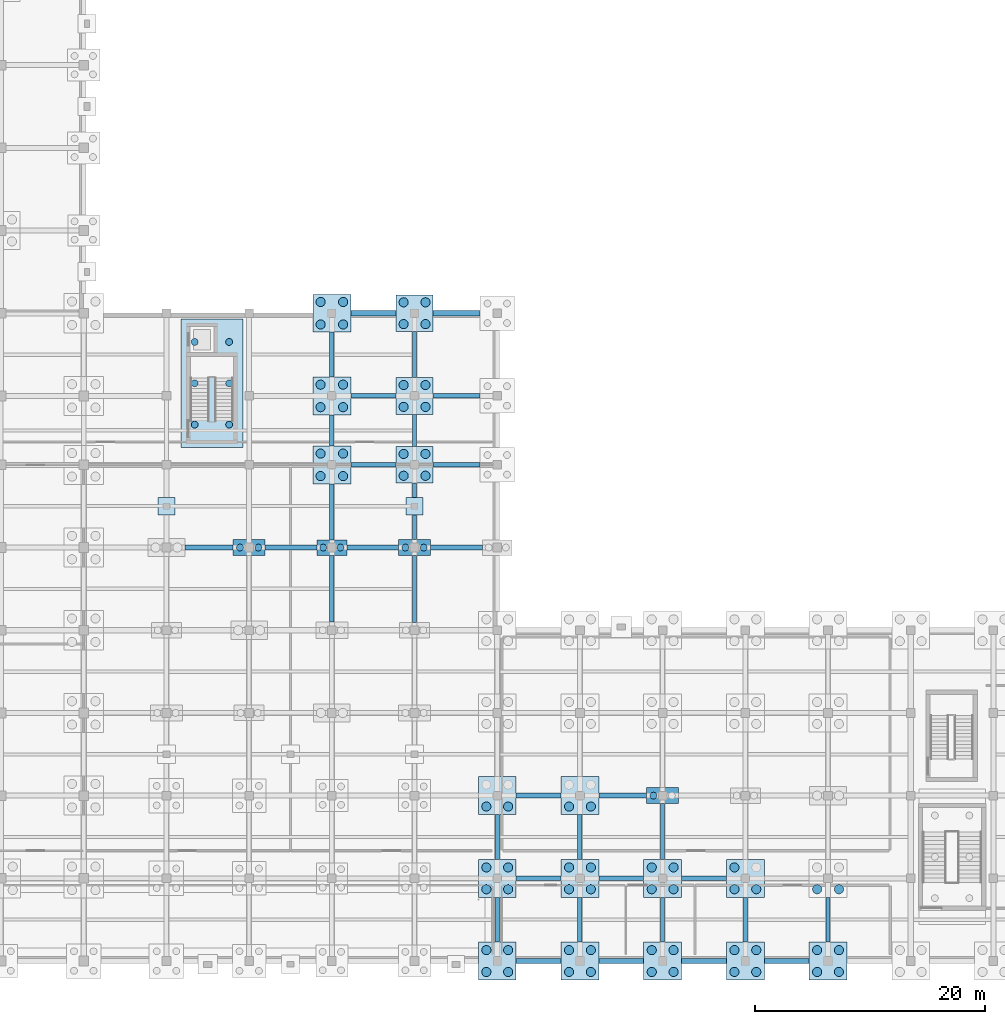
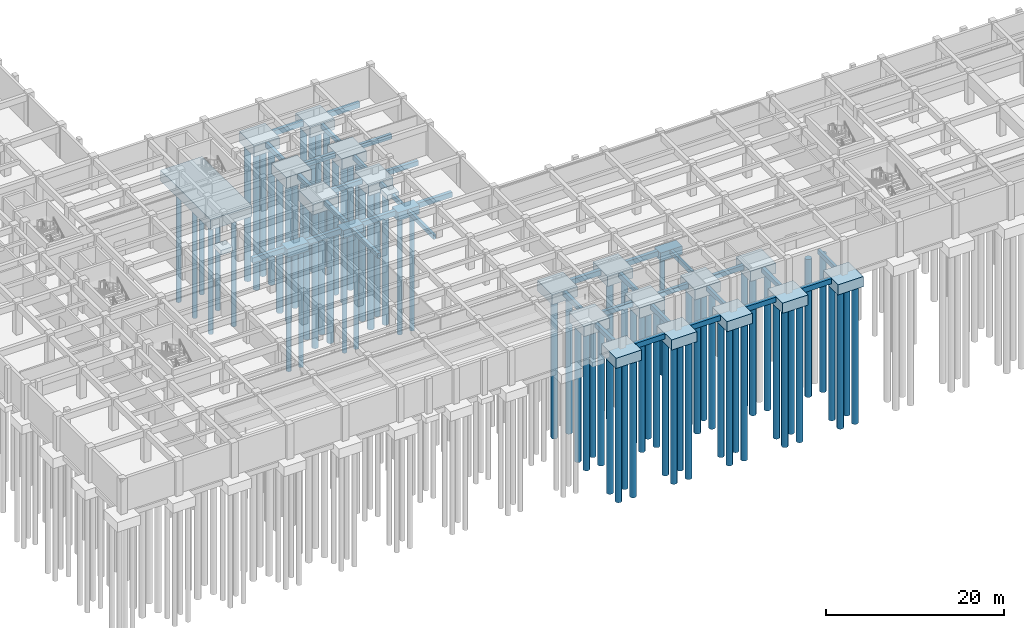
# One storey, part 4 of 28: 78 piles, 60 footings.
"""IFC4 building model written with IfcOpenShell, lengths in metres."""

import ifcopenshell
import ifcopenshell.guid

model = None  # the IFC model being written
_history = None  # IfcOwnerHistory: only IFC2X3 demands one
_inside = {}  # id of a spatial element -> (the spatial element, [elements in it])
_under = {}  # id of a project, library or spatial element -> (it, [spatial elements below it])
_declared = {}  # id of a project -> (the project, [libraries it declares])
_typed = {}  # id of a type object -> (the type object, [elements of that type])
_made_of = {}  # id of a material, layer set ... -> (it, [elements and type objects made of it])


def new_model(schema):
    """Start an empty IFC model of exactly this schema.

    Asked for "IFC4X3", IfcOpenShell would pick the latest addendum, in which some entities
    have other attributes; the version numbers below select the first issue.
    IFC2X3 requires an IfcOwnerHistory on every rooted entity: one is made here for all.
    """
    global model, _history
    if schema == "IFC4X3":
        model = ifcopenshell.file(schema_version=(4, 3, 0, 0))
    else:
        model = ifcopenshell.file(schema=schema)
    _inside.clear()
    _under.clear()
    _declared.clear()
    _typed.clear()
    _made_of.clear()
    _history = None
    if model.schema == "IFC2X3":
        org = make("IfcOrganization", Name="unknown")
        user = make(
            "IfcPersonAndOrganization",
            ThePerson=make("IfcPerson", FamilyName="unknown"),
            TheOrganization=org,
        )
        app = make(
            "IfcApplication",
            ApplicationDeveloper=org,
            Version="unknown",
            ApplicationFullName="unknown",
            ApplicationIdentifier="unknown",
        )
        _history = make(
            "IfcOwnerHistory",
            OwningUser=user,
            OwningApplication=app,
            ChangeAction="ADDED",
            CreationDate=0,
        )
    return model


def make(cls, **values):
    """One entity of the class cls with the attributes given. An attribute that is None is left unset."""
    return model.create_entity(
        cls, **{name: value for name, value in values.items() if value is not None}
    )


def rooted(cls, **values):
    """An entity with a GlobalId (a new one), such as an element, a storey or a relation."""
    return make(cls, GlobalId=ifcopenshell.guid.new(), OwnerHistory=_history, **values)


def si_unit(unit_type, name, prefix=None):
    """IfcSIUnit, for example si_unit("LENGTHUNIT", "METRE", prefix="MILLI")."""
    return make("IfcSIUnit", UnitType=unit_type, Prefix=prefix, Name=name)


def assignment(units):
    """IfcUnitAssignment: the units of a project."""
    return None if units is None else make("IfcUnitAssignment", Units=units)


def point(xyz):
    """IfcCartesianPoint."""
    return None if xyz is None else make("IfcCartesianPoint", Coordinates=xyz)


def direction(xyz):
    """IfcDirection."""
    return None if xyz is None else make("IfcDirection", DirectionRatios=xyz)


def frame(location, z_axis=None, x_axis=None):
    """IfcAxis2Placement3D, a coordinate frame: its origin and axes. An axis left out is left unset."""
    return make(
        "IfcAxis2Placement3D",
        Location=point(location),
        Axis=direction(z_axis),
        RefDirection=direction(x_axis),
    )


def frame_2d(location, x_axis=None):
    """IfcAxis2Placement2D, a coordinate frame in the plane: its origin and x axis."""
    return make(
        "IfcAxis2Placement2D", Location=point(location), RefDirection=direction(x_axis)
    )


def origin():
    """The frame at (0, 0, 0) with its axes left unset."""
    return frame((0.0, 0.0, 0.0))


def origin_2d():
    """The frame at (0, 0) in the plane with its x axis left unset."""
    return frame_2d((0.0, 0.0))


def place(relative_to, where):
    """IfcLocalPlacement: puts the frame where relative to a parent placement (None: the world)."""
    return make(
        "IfcLocalPlacement", PlacementRelTo=relative_to, RelativePlacement=where
    )


def context(
    kind, dimensions, precision=None, world=None, true_north=None, identifier=None
):
    """IfcGeometricRepresentationContext, for example the 3D "Model" context."""
    return make(
        "IfcGeometricRepresentationContext",
        ContextIdentifier=identifier,
        ContextType=kind,
        CoordinateSpaceDimension=dimensions,
        Precision=precision,
        WorldCoordinateSystem=world,
        TrueNorth=true_north,
    )


def subcontext(parent, identifier, kind, view, scale=None):
    """IfcGeometricRepresentationSubContext, for example "Body" below "Model"."""
    return make(
        "IfcGeometricRepresentationSubContext",
        ContextIdentifier=identifier,
        ContextType=kind,
        ParentContext=parent,
        TargetScale=scale,
        TargetView=view,
    )


def project(units=None, contexts=None):
    """IfcProject with its units and contexts."""
    return rooted(
        "IfcProject",
        Name="project",
        RepresentationContexts=contexts,
        UnitsInContext=assignment(units),
    )


def spatial(cls, under=None, at=None, **own):
    """A site, building, storey or space (cls), placed at a placement, below another one or the project."""
    s = rooted(cls, ObjectPlacement=at, **own)
    if under is not None:
        _under.setdefault(under.id(), (under, []))[1].append(s)
    return s


def profile(cls, at=None, kind="AREA", **sizes):
    """A parametric profile (cls). Its sizes go by their IFC names, for example OverallWidth=200.0."""
    return make(cls, ProfileType=kind, Position=at, **sizes)


def rectangle(**sizes):
    """IfcRectangleProfileDef."""
    return profile("IfcRectangleProfileDef", **sizes)


def circle(**sizes):
    """IfcCircleProfileDef."""
    return profile("IfcCircleProfileDef", **sizes)


def extrude(swept, where, along, depth):
    """IfcExtrudedAreaSolid: the profile swept, set in the frame where, extruded along a direction by depth."""
    return make(
        "IfcExtrudedAreaSolid",
        SweptArea=swept,
        Position=where,
        ExtrudedDirection=direction(along),
        Depth=depth,
    )


def shape(context_of_items, identifier, shape_type, items):
    """IfcShapeRepresentation: the items that make up one representation, for example the "Body"."""
    return make(
        "IfcShapeRepresentation",
        ContextOfItems=context_of_items,
        RepresentationIdentifier=identifier,
        RepresentationType=shape_type,
        Items=items,
    )


def material(Name=None, Category=None):
    """IfcMaterial."""
    return make("IfcMaterial", Name=Name, Category=Category)


def material_profile(
    of_material, cross_section, Name=None, Category=None, Priority=None
):
    """IfcMaterialProfile: a cross section and its material."""
    return make(
        "IfcMaterialProfile",
        Name=Name,
        Material=of_material,
        Profile=cross_section,
        Priority=Priority,
        Category=Category,
    )


def profile_set(profiles, Name=None, composite=None):
    """IfcMaterialProfileSet."""
    return make(
        "IfcMaterialProfileSet",
        Name=Name,
        MaterialProfiles=profiles,
        CompositeProfile=composite,
    )


def made_of(thing, what):
    """Note that an element or type object is made of a material, layer set ...; save() writes the relation."""
    if what is not None:
        _made_of.setdefault(what.id(), (what, []))[1].append(thing)
    return thing


def type_object(cls, material=None, **own):
    """A type object (cls), such as IfcWallType, which elements share."""
    return made_of(rooted(cls, **own), material)


def element(
    cls,
    number,
    at=None,
    inside=None,
    cuts=None,
    type_object=None,
    material=None,
    context=None,
    identifier="Body",
    shape_type=None,
    held_by="IfcProductDefinitionShape",
    body=None,
    shapes=None,
    **own,
):
    """One element of the class cls, such as IfcWall. Its Tag is "e" and its number.

    at: its placement. inside: the storey or other place that contains it. cuts: it is an
    opening in that element (IfcRelVoidsElement). A single representation is given by context,
    identifier, shape_type and body (its items); several are given by shapes. held_by: the class
    of the entity that holds the representations. save() writes the other relations.
    """
    e = rooted(cls, Tag="e%d" % number, ObjectPlacement=at, **own)
    if body is not None:
        shapes = [shape(context, identifier, shape_type, body)]
    if shapes is not None:
        e.Representation = make(held_by, Representations=shapes)
    if inside is not None:
        _inside.setdefault(inside.id(), (inside, []))[1].append(e)
    if cuts is not None:
        rooted(
            "IfcRelVoidsElement", RelatingBuildingElement=cuts, RelatedOpeningElement=e
        )
    if type_object is not None:
        _typed.setdefault(type_object.id(), (type_object, []))[1].append(e)
    return made_of(e, material)


def aggregate(whole, parts):
    """IfcRelAggregates: a whole, such as a stair, and the parts it consists of."""
    return rooted("IfcRelAggregates", RelatingObject=whole, RelatedObjects=parts)


def save(model, path):
    """Write the relations noted so far, then the file.

    IfcRelAggregates (storeys below a building ...), IfcRelContainedInSpatialStructure (elements
    in a storey), IfcRelDefinesByType, IfcRelAssociatesMaterial and IfcRelDeclares: one each for
    every whole, place, type object, material and project.
    """
    for whole, parts in _under.values():
        aggregate(whole, parts)
    for where, things in _inside.values():
        rooted(
            "IfcRelContainedInSpatialStructure",
            RelatedElements=things,
            RelatingStructure=where,
        )
    for kind, things in _typed.values():
        rooted("IfcRelDefinesByType", RelatedObjects=things, RelatingType=kind)
    for what, things in _made_of.values():
        rooted("IfcRelAssociatesMaterial", RelatedObjects=things, RelatingMaterial=what)
    for by, libraries in _declared.values():
        rooted("IfcRelDeclares", RelatingContext=by, RelatedDefinitions=libraries)
    model.write(path)


model = new_model("IFC4")

# Units and contexts
model_context = context("Model", 3, precision=1e-05, world=origin(), true_north=direction((0.0, 1.0)))
body_context = subcontext(model_context, "Body", "Model", "MODEL_VIEW")
ifc_project = project(units=[si_unit("LENGTHUNIT", "METRE"), si_unit("AREAUNIT", "SQUARE_METRE"), si_unit("VOLUMEUNIT", "CUBIC_METRE"), si_unit("PLANEANGLEUNIT", "RADIAN"), si_unit("MASSUNIT", "GRAM", prefix="KILO")], contexts=[model_context])

# Site, building, storey
site_placement = place(None, origin())
site = spatial("IfcSite", under=ifc_project, at=site_placement, CompositionType="ELEMENT")
building_placement = place(site_placement, origin())
building = spatial("IfcBuilding", under=site, at=building_placement, Name="Alvorim Cloister Faculty of Sciences", CompositionType="ELEMENT")
storey_placement = place(building_placement, frame((0.0, 0.0, -4.5)))
storey = spatial("IfcBuildingStorey", under=building, at=storey_placement, Name="B01", CompositionType="ELEMENT", Elevation=-4.5)

# Footings
ifc_material_1 = material(Name="Concrete C40", Category="concrete")
footing_type_1 = type_object("IfcFootingType", Name="FT-PAD-1500x1500x650", PredefinedType="PAD_FOOTING", material=ifc_material_1)
for number, where, z_axis, x_axis, name in (
    (1, (36.0, 39.60009765625, -0.949951171875), (0.0, 0.0, 1.0), (1.0, 0.0, 0.0), "Plaza Pad Footing FT-0506"),
    (2, (57.60009765625, 39.60009765625, -0.949951171875), (0.0, 0.0, 1.0), (1.0, 0.0, 0.0), "Plaza Pad Footing FT-0507"),
):
    element("IfcFooting", number, at=place(storey_placement, frame(where, z_axis=z_axis, x_axis=x_axis)), inside=storey, type_object=footing_type_1, Name=name, PredefinedType="PAD_FOOTING", context=body_context, shape_type="SweptSolid", body=[
        extrude(rectangle(XDim=1.5, YDim=1.5, at=origin_2d()), origin(), (0.0, 0.0, 1.0), 0.64990234375),
    ])
footing_type_2 = type_object("IfcFootingType", Name="FT-PC-2600x1350x1100", PredefinedType="PILE_CAP", material=ifc_material_1)
footing_1_placement = place(storey_placement, frame((50.39990234375, 36.0, -1.400146484375), z_axis=(0.0, 0.0, 1.0), x_axis=(1.0, 0.0, 0.0)))
element("IfcFooting", 3, at=footing_1_placement, inside=storey, type_object=footing_type_2, Name="B01 Pile Cap FT-0108", PredefinedType="PILE_CAP", context=body_context, shape_type="SweptSolid", body=[
    extrude(rectangle(XDim=2.60009765625, YDim=1.35009765625, at=origin_2d()), origin(), (0.0, 0.0, 1.0), 1.10009765625),
])
footing_type_3 = type_object("IfcFootingType", Name="FT-PC-2800x1400x1150", PredefinedType="PILE_CAP", material=ifc_material_1)
for number, where, z_axis, x_axis, name in (
    (4, (43.199951171875, 36.0, -1.449951171875), (0.0, 0.0, 1.0), (1.0, 0.0, 0.0), "B01 Pile Cap FT-0099"),
    (5, (57.60009765625, 36.0, -1.449951171875), (0.0, 0.0, 1.0), (1.0, 0.0, 0.0), "B01 Pile Cap FT-0117"),
    (6, (79.199951171875, 14.39990234375, -1.449951171875), (0.0, 0.0, 1.0), (1.0, 0.0, 0.0), "B01 Pile Cap FT-0137"),
):
    element("IfcFooting", number, at=place(storey_placement, frame(where, z_axis=z_axis, x_axis=x_axis)), inside=storey, type_object=footing_type_3, Name=name, PredefinedType="PILE_CAP", context=body_context, shape_type="SweptSolid", body=[
        extrude(rectangle(XDim=2.800048828125, YDim=1.39990234375, at=origin_2d()), origin(), (0.0, 0.0, 1.0), 1.14990234375),
    ])
footing_type_4 = type_object("IfcFootingType", Name="FT-PC-3200x3200x1450", PredefinedType="PILE_CAP", material=ifc_material_1)
for number, where, z_axis, x_axis, name in (
    (7, (57.60009765625, 43.199951171875, -1.75), (0.0, 0.0, 1.0), (1.0, 0.0, 0.0), "B01 Pile Cap FT-0118"),
    (8, (57.60009765625, 49.199951171875, -1.75), (0.0, 0.0, 1.0), (1.0, 0.0, 0.0), "B01 Pile Cap FT-0119"),
    (9, (57.60009765625, 56.39990234375, -1.75), (0.0, 0.0, 1.0), (1.0, 0.0, 0.0), "B01 Pile Cap FT-0120"),
):
    element("IfcFooting", number, at=place(storey_placement, frame(where, z_axis=z_axis, x_axis=x_axis)), inside=storey, type_object=footing_type_4, Name=name, PredefinedType="PILE_CAP", context=body_context, shape_type="SweptSolid", body=[
        extrude(rectangle(XDim=3.199951171875, YDim=3.199951171875, at=origin_2d()), origin(), (0.0, 0.0, 1.0), 1.449951171875),
    ])
footing_type_5 = type_object("IfcFootingType", Name="FT-PC-3300x3300x1400", PredefinedType="PILE_CAP", material=ifc_material_1)
for number, where, z_axis, x_axis, name in (
    (10, (64.800048828125, 0.0, -1.699951171875), (0.0, 0.0, 1.0), (1.0, 0.0, 0.0), "B01 Pile Cap FT-0121"),
    (11, (64.800048828125, 7.199951171875, -1.699951171875), (0.0, 0.0, 1.0), (1.0, 0.0, 0.0), "B01 Pile Cap FT-0122"),
    (12, (64.800048828125, 14.39990234375, -1.699951171875), (0.0, 0.0, 1.0), (1.0, 0.0, 0.0), "B01 Pile Cap FT-0123"),
    (13, (72.0, 0.0, -1.699951171875), (0.0, 0.0, 1.0), (1.0, 0.0, 0.0), "B01 Pile Cap FT-0130"),
    (14, (72.0, 7.199951171875, -1.699951171875), (0.0, 0.0, 1.0), (1.0, 0.0, 0.0), "B01 Pile Cap FT-0131"),
    (15, (72.0, 14.39990234375, -1.699951171875), (0.0, 0.0, 1.0), (1.0, 0.0, 0.0), "B01 Pile Cap FT-0132"),
    (16, (79.199951171875, 0.0, -1.699951171875), (0.0, 0.0, 1.0), (1.0, 0.0, 0.0), "B01 Pile Cap FT-0135"),
    (17, (79.199951171875, 7.199951171875, -1.699951171875), (0.0, 0.0, 1.0), (1.0, 0.0, 0.0), "B01 Pile Cap FT-0136"),
    (18, (86.39990234375, 0.0, -1.699951171875), (0.0, 0.0, 1.0), (1.0, 0.0, 0.0), "B01 Pile Cap FT-0140"),
    (19, (86.39990234375, 7.199951171875, -1.699951171875), (0.0, 0.0, 1.0), (1.0, 0.0, 0.0), "B01 Pile Cap FT-0141"),
    (20, (93.60009765625, 0.0, -1.699951171875), (0.0, 0.0, 1.0), (1.0, 0.0, 0.0), "B01 Pile Cap FT-0145"),
):
    element("IfcFooting", number, at=place(storey_placement, frame(where, z_axis=z_axis, x_axis=x_axis)), inside=storey, type_object=footing_type_5, Name=name, PredefinedType="PILE_CAP", context=body_context, shape_type="SweptSolid", body=[
        extrude(rectangle(XDim=3.300048828125, YDim=3.300048828125, at=origin_2d()), origin(), (0.0, 0.0, 1.0), 1.39990234375),
    ])
footing_type_6 = type_object("IfcFootingType", Name="FT-PC-3300x3300x1500", PredefinedType="PILE_CAP", material=ifc_material_1)
for number, where, z_axis, x_axis, name in (
    (21, (50.39990234375, 43.199951171875, -1.800048828125), (0.0, 0.0, 1.0), (1.0, 0.0, 0.0), "B01 Pile Cap FT-0109"),
    (22, (50.39990234375, 49.199951171875, -1.800048828125), (0.0, 0.0, 1.0), (1.0, 0.0, 0.0), "B01 Pile Cap FT-0110"),
    (23, (50.39990234375, 56.39990234375, -1.800048828125), (0.0, 0.0, 1.0), (1.0, 0.0, 0.0), "B01 Pile Cap FT-0111"),
):
    element("IfcFooting", number, at=place(storey_placement, frame(where, z_axis=z_axis, x_axis=x_axis)), inside=storey, type_object=footing_type_6, Name=name, PredefinedType="PILE_CAP", context=body_context, shape_type="SweptSolid", body=[
        extrude(rectangle(XDim=3.300048828125, YDim=3.300048828125, at=origin_2d()), origin(), (0.0, 0.0, 1.0), 1.5),
    ])
footing_type_7 = type_object("IfcFootingType", Name="FT-PC-5400x11200x1450", PredefinedType="PILE_CAP", material=ifc_material_1)
footing_2_placement = place(storey_placement, frame((39.9599609375, 50.300048828125, -1.75), z_axis=(0.0, 0.0, 1.0), x_axis=(1.0, 0.0, 0.0)))
element("IfcFooting", 24, at=footing_2_placement, inside=storey, type_object=footing_type_7, Name="B01 Pile Cap FT-0203", PredefinedType="PILE_CAP", context=body_context, shape_type="SweptSolid", body=[
    extrude(rectangle(XDim=5.39990234375, YDim=11.199951171875, at=origin_2d()), origin(), (0.0, 0.0, 1.0), 1.449951171875),
])
footing_type_8 = type_object("IfcFootingType", Name="FT-TB-350x600", PredefinedType="FOOTING_BEAM", material=ifc_material_1)
footing_3_placement = place(storey_placement, frame((57.60009765625, 32.387451171875, -0.900146484375), z_axis=(0.0, 0.0, 1.0), x_axis=(1.0, 0.0, 0.0)))
element("IfcFooting", 25, at=footing_3_placement, inside=storey, type_object=footing_type_8, Name="Ground Tie Beam FT-0367", PredefinedType="FOOTING_BEAM", context=body_context, shape_type="SweptSolid", body=[
    extrude(rectangle(XDim=0.35009765625, YDim=5.824951171875, at=origin_2d()), origin(), (0.0, 0.0, 1.0), 0.60009765625),
])
footing_4_placement = place(storey_placement, frame((57.60009765625, 37.77490234375, -0.900146484375), z_axis=(0.0, 0.0, 1.0), x_axis=(1.0, 0.0, 0.0)))
element("IfcFooting", 26, at=footing_4_placement, inside=storey, type_object=footing_type_8, Name="Ground Tie Beam FT-0369", PredefinedType="FOOTING_BEAM", context=body_context, shape_type="SweptSolid", body=[
    extrude(rectangle(XDim=0.35009765625, YDim=2.14990234375, at=origin_2d()), origin(), (0.0, 0.0, 1.0), 0.60009765625),
])
footing_5_placement = place(storey_placement, frame((57.60009765625, 40.97509765625, -0.900146484375), z_axis=(0.0, 0.0, 1.0), x_axis=(1.0, 0.0, 0.0)))
element("IfcFooting", 27, at=footing_5_placement, inside=storey, type_object=footing_type_8, Name="Ground Tie Beam FT-0370", PredefinedType="FOOTING_BEAM", context=body_context, shape_type="SweptSolid", body=[
    extrude(rectangle(XDim=0.35009765625, YDim=1.25, at=origin_2d()), origin(), (0.0, 0.0, 1.0), 0.60009765625),
])
footing_6_placement = place(storey_placement, frame((57.60009765625, 46.199951171875, -0.900146484375), z_axis=(0.0, 0.0, 1.0), x_axis=(1.0, 0.0, 0.0)))
element("IfcFooting", 28, at=footing_6_placement, inside=storey, type_object=footing_type_8, Name="Ground Tie Beam FT-0372", PredefinedType="FOOTING_BEAM", context=body_context, shape_type="SweptSolid", body=[
    extrude(rectangle(XDim=0.35009765625, YDim=2.800048828125, at=origin_2d()), origin(), (0.0, 0.0, 1.0), 0.60009765625),
])
footing_7_placement = place(storey_placement, frame((57.60009765625, 52.800048828125, -0.900146484375), z_axis=(0.0, 0.0, 1.0), x_axis=(1.0, 0.0, 0.0)))
element("IfcFooting", 29, at=footing_7_placement, inside=storey, type_object=footing_type_8, Name="Ground Tie Beam FT-0374", PredefinedType="FOOTING_BEAM", context=body_context, shape_type="SweptSolid", body=[
    extrude(rectangle(XDim=0.35009765625, YDim=4.0, at=origin_2d()), origin(), (0.0, 0.0, 1.0), 0.60009765625),
])
footing_8_placement = place(storey_placement, frame((79.199951171875, 3.60009765625, -0.900146484375), z_axis=(0.0, 0.0, 1.0), x_axis=(1.0, 0.0, 0.0)))
element("IfcFooting", 30, at=footing_8_placement, inside=storey, type_object=footing_type_8, Name="Ground Tie Beam FT-0400", PredefinedType="FOOTING_BEAM", context=body_context, shape_type="SweptSolid", body=[
    extrude(rectangle(XDim=0.35009765625, YDim=3.89990234375, at=origin_2d()), origin(), (0.0, 0.0, 1.0), 0.60009765625),
])
footing_9_placement = place(storey_placement, frame((79.199951171875, 11.27490234375, -0.900146484375), z_axis=(0.0, 0.0, 1.0), x_axis=(1.0, 0.0, 0.0)))
element("IfcFooting", 31, at=footing_9_placement, inside=storey, type_object=footing_type_8, Name="Ground Tie Beam FT-0402", PredefinedType="FOOTING_BEAM", context=body_context, shape_type="SweptSolid", body=[
    extrude(rectangle(XDim=0.35009765625, YDim=4.85009765625, at=origin_2d()), origin(), (0.0, 0.0, 1.0), 0.60009765625),
])
footing_10_placement = place(storey_placement, frame((93.60009765625, 3.60009765625, -0.900146484375), z_axis=(0.0, 0.0, 1.0), x_axis=(1.0, 0.0, 0.0)))
element("IfcFooting", 32, at=footing_10_placement, inside=storey, type_object=footing_type_8, Name="Ground Tie Beam FT-0418", PredefinedType="FOOTING_BEAM", context=body_context, shape_type="SweptSolid", body=[
    extrude(rectangle(XDim=0.35009765625, YDim=3.89990234375, at=origin_2d()), origin(), (0.0, 0.0, 1.0), 0.60009765625),
])
footing_type_9 = type_object("IfcFootingType", Name="FT-TB-400x650", PredefinedType="FOOTING_BEAM", material=ifc_material_1)
footing_11_placement = place(storey_placement, frame((50.39990234375, 32.41259765625, -0.949951171875), z_axis=(0.0, 0.0, 1.0), x_axis=(1.0, 0.0, 0.0)))
element("IfcFooting", 33, at=footing_11_placement, inside=storey, type_object=footing_type_9, Name="Ground Tie Beam FT-0348", PredefinedType="FOOTING_BEAM", context=body_context, shape_type="SweptSolid", body=[
    extrude(rectangle(XDim=0.39990234375, YDim=5.824951171875, at=origin_2d()), origin(), (0.0, 0.0, 1.0), 0.64990234375),
])
footing_12_placement = place(storey_placement, frame((50.39990234375, 39.112548828125, -0.949951171875), z_axis=(0.0, 0.0, 1.0), x_axis=(1.0, 0.0, 0.0)))
element("IfcFooting", 34, at=footing_12_placement, inside=storey, type_object=footing_type_9, Name="Ground Tie Beam FT-0350", PredefinedType="FOOTING_BEAM", context=body_context, shape_type="SweptSolid", body=[
    extrude(rectangle(XDim=0.39990234375, YDim=4.875, at=origin_2d()), origin(), (0.0, 0.0, 1.0), 0.64990234375),
])
footing_13_placement = place(storey_placement, frame((50.39990234375, 46.199951171875, -0.949951171875), z_axis=(0.0, 0.0, 1.0), x_axis=(1.0, 0.0, 0.0)))
element("IfcFooting", 35, at=footing_13_placement, inside=storey, type_object=footing_type_9, Name="Ground Tie Beam FT-0352", PredefinedType="FOOTING_BEAM", context=body_context, shape_type="SweptSolid", body=[
    extrude(rectangle(XDim=0.39990234375, YDim=2.699951171875, at=origin_2d()), origin(), (0.0, 0.0, 1.0), 0.64990234375),
])
footing_14_placement = place(storey_placement, frame((54.02490234375, 43.199951171875, -0.949951171875), z_axis=(0.0, 0.0, 1.0), x_axis=(1.0, 0.0, 0.0)))
element("IfcFooting", 36, at=footing_14_placement, inside=storey, type_object=footing_type_9, Name="Ground Tie Beam FT-0353", PredefinedType="FOOTING_BEAM", context=body_context, shape_type="SweptSolid", body=[
    extrude(rectangle(XDim=3.949951171875, YDim=0.39990234375, at=origin_2d()), origin(), (0.0, 0.0, 1.0), 0.64990234375),
])
footing_15_placement = place(storey_placement, frame((50.39990234375, 52.800048828125, -0.949951171875), z_axis=(0.0, 0.0, 1.0), x_axis=(1.0, 0.0, 0.0)))
element("IfcFooting", 37, at=footing_15_placement, inside=storey, type_object=footing_type_9, Name="Ground Tie Beam FT-0354", PredefinedType="FOOTING_BEAM", context=body_context, shape_type="SweptSolid", body=[
    extrude(rectangle(XDim=0.39990234375, YDim=3.89990234375, at=origin_2d()), origin(), (0.0, 0.0, 1.0), 0.64990234375),
])
footing_16_placement = place(storey_placement, frame((54.02490234375, 49.199951171875, -0.949951171875), z_axis=(0.0, 0.0, 1.0), x_axis=(1.0, 0.0, 0.0)))
element("IfcFooting", 38, at=footing_16_placement, inside=storey, type_object=footing_type_9, Name="Ground Tie Beam FT-0355", PredefinedType="FOOTING_BEAM", context=body_context, shape_type="SweptSolid", body=[
    extrude(rectangle(XDim=3.949951171875, YDim=0.39990234375, at=origin_2d()), origin(), (0.0, 0.0, 1.0), 0.64990234375),
])
for number, where, z_axis, x_axis, name in (
    (39, (61.25, 43.199951171875, -0.949951171875), (0.0, 0.0, 1.0), (1.0, 0.0, 0.0), "Ground Tie Beam FT-0373"),
    (40, (61.25, 49.199951171875, -0.949951171875), (0.0, 0.0, 1.0), (1.0, 0.0, 0.0), "Ground Tie Beam FT-0375"),
):
    element("IfcFooting", number, at=place(storey_placement, frame(where, z_axis=z_axis, x_axis=x_axis)), inside=storey, type_object=footing_type_9, Name=name, PredefinedType="FOOTING_BEAM", context=body_context, shape_type="SweptSolid", body=[
        extrude(rectangle(XDim=4.10009765625, YDim=0.39990234375, at=origin_2d()), origin(), (0.0, 0.0, 1.0), 0.64990234375),
    ])
for number, where, z_axis, x_axis, name in (
    (41, (64.800048828125, 3.60009765625, -0.949951171875), (0.0, 0.0, 1.0), (1.0, 0.0, 0.0), "Ground Tie Beam FT-0377"),
    (42, (64.800048828125, 10.800048828125, -0.949951171875), (0.0, 0.0, 1.0), (1.0, 0.0, 0.0), "Ground Tie Beam FT-0379"),
):
    element("IfcFooting", number, at=place(storey_placement, frame(where, z_axis=z_axis, x_axis=x_axis)), inside=storey, type_object=footing_type_9, Name=name, PredefinedType="FOOTING_BEAM", context=body_context, shape_type="SweptSolid", body=[
        extrude(rectangle(XDim=0.39990234375, YDim=3.89990234375, at=origin_2d()), origin(), (0.0, 0.0, 1.0), 0.64990234375),
    ])
footing_17_placement = place(storey_placement, frame((68.39990234375, 7.199951171875, -0.949951171875), z_axis=(0.0, 0.0, 1.0), x_axis=(1.0, 0.0, 0.0)))
element("IfcFooting", 43, at=footing_17_placement, inside=storey, type_object=footing_type_9, Name="Ground Tie Beam FT-0380", PredefinedType="FOOTING_BEAM", context=body_context, shape_type="SweptSolid", body=[
    extrude(rectangle(XDim=3.89990234375, YDim=0.39990234375, at=origin_2d()), origin(), (0.0, 0.0, 1.0), 0.64990234375),
])
for number, where, z_axis, x_axis, name in (
    (44, (72.0, 3.60009765625, -0.949951171875), (0.0, 0.0, 1.0), (1.0, 0.0, 0.0), "Ground Tie Beam FT-0390"),
    (45, (72.0, 10.800048828125, -0.949951171875), (0.0, 0.0, 1.0), (1.0, 0.0, 0.0), "Ground Tie Beam FT-0392"),
):
    element("IfcFooting", number, at=place(storey_placement, frame(where, z_axis=z_axis, x_axis=x_axis)), inside=storey, type_object=footing_type_9, Name=name, PredefinedType="FOOTING_BEAM", context=body_context, shape_type="SweptSolid", body=[
        extrude(rectangle(XDim=0.39990234375, YDim=3.89990234375, at=origin_2d()), origin(), (0.0, 0.0, 1.0), 0.64990234375),
    ])
for number, where, z_axis, x_axis, name in (
    (46, (75.60009765625, 7.199951171875, -0.949951171875), (0.0, 0.0, 1.0), (1.0, 0.0, 0.0), "Ground Tie Beam FT-0393"),
    (47, (82.800048828125, 7.199951171875, -0.949951171875), (0.0, 0.0, 1.0), (1.0, 0.0, 0.0), "Ground Tie Beam FT-0403"),
):
    element("IfcFooting", number, at=place(storey_placement, frame(where, z_axis=z_axis, x_axis=x_axis)), inside=storey, type_object=footing_type_9, Name=name, PredefinedType="FOOTING_BEAM", context=body_context, shape_type="SweptSolid", body=[
        extrude(rectangle(XDim=3.89990234375, YDim=0.39990234375, at=origin_2d()), origin(), (0.0, 0.0, 1.0), 0.64990234375),
    ])
footing_18_placement = place(storey_placement, frame((86.39990234375, 3.60009765625, -0.949951171875), z_axis=(0.0, 0.0, 1.0), x_axis=(1.0, 0.0, 0.0)))
element("IfcFooting", 48, at=footing_18_placement, inside=storey, type_object=footing_type_9, Name="Ground Tie Beam FT-0409", PredefinedType="FOOTING_BEAM", context=body_context, shape_type="SweptSolid", body=[
    extrude(rectangle(XDim=0.39990234375, YDim=3.89990234375, at=origin_2d()), origin(), (0.0, 0.0, 1.0), 0.64990234375),
])
footing_type_10 = type_object("IfcFootingType", Name="FT-TB-450x700", PredefinedType="FOOTING_BEAM", material=ifc_material_1)
footing_19_placement = place(storey_placement, frame((39.699951171875, 36.0, -1.0), z_axis=(0.0, 0.0, 1.0), x_axis=(1.0, 0.0, 0.0)))
element("IfcFooting", 49, at=footing_19_placement, inside=storey, type_object=footing_type_10, Name="Ground Tie Beam FT-0327", PredefinedType="FOOTING_BEAM", context=body_context, shape_type="SweptSolid", body=[
    extrude(rectangle(XDim=4.199951171875, YDim=0.449951171875, at=origin_2d()), origin(), (0.0, 0.0, 1.0), 0.699951171875),
])
for number, where, z_axis, x_axis, name in (
    (50, (46.85009765625, 36.0, -1.0), (0.0, 0.0, 1.0), (1.0, 0.0, 0.0), "Ground Tie Beam FT-0339"),
    (51, (53.949951171875, 36.0, -1.0), (0.0, 0.0, 1.0), (1.0, 0.0, 0.0), "Ground Tie Beam FT-0351"),
):
    element("IfcFooting", number, at=place(storey_placement, frame(where, z_axis=z_axis, x_axis=x_axis)), inside=storey, type_object=footing_type_10, Name=name, PredefinedType="FOOTING_BEAM", context=body_context, shape_type="SweptSolid", body=[
        extrude(rectangle(XDim=4.5, YDim=0.449951171875, at=origin_2d()), origin(), (0.0, 0.0, 1.0), 0.699951171875),
    ])
footing_20_placement = place(storey_placement, frame((54.02490234375, 56.39990234375, -1.0), z_axis=(0.0, 0.0, 1.0), x_axis=(1.0, 0.0, 0.0)))
element("IfcFooting", 52, at=footing_20_placement, inside=storey, type_object=footing_type_10, Name="Ground Tie Beam FT-0356", PredefinedType="FOOTING_BEAM", context=body_context, shape_type="SweptSolid", body=[
    extrude(rectangle(XDim=3.949951171875, YDim=0.449951171875, at=origin_2d()), origin(), (0.0, 0.0, 1.0), 0.699951171875),
])
footing_21_placement = place(storey_placement, frame((61.25, 36.0, -1.0), z_axis=(0.0, 0.0, 1.0), x_axis=(1.0, 0.0, 0.0)))
element("IfcFooting", 53, at=footing_21_placement, inside=storey, type_object=footing_type_10, Name="Ground Tie Beam FT-0371", PredefinedType="FOOTING_BEAM", context=body_context, shape_type="SweptSolid", body=[
    extrude(rectangle(XDim=4.5, YDim=0.449951171875, at=origin_2d()), origin(), (0.0, 0.0, 1.0), 0.699951171875),
])
footing_22_placement = place(storey_placement, frame((61.25, 56.39990234375, -1.0), z_axis=(0.0, 0.0, 1.0), x_axis=(1.0, 0.0, 0.0)))
element("IfcFooting", 54, at=footing_22_placement, inside=storey, type_object=footing_type_10, Name="Ground Tie Beam FT-0376", PredefinedType="FOOTING_BEAM", context=body_context, shape_type="SweptSolid", body=[
    extrude(rectangle(XDim=4.10009765625, YDim=0.449951171875, at=origin_2d()), origin(), (0.0, 0.0, 1.0), 0.699951171875),
])
for number, where, z_axis, x_axis, name in (
    (55, (68.39990234375, 0.0, -1.0), (0.0, 0.0, 1.0), (1.0, 0.0, 0.0), "Ground Tie Beam FT-0378"),
    (56, (68.39990234375, 14.39990234375, -1.0), (0.0, 0.0, 1.0), (1.0, 0.0, 0.0), "Ground Tie Beam FT-0382"),
    (57, (75.60009765625, 0.0, -1.0), (0.0, 0.0, 1.0), (1.0, 0.0, 0.0), "Ground Tie Beam FT-0391"),
):
    element("IfcFooting", number, at=place(storey_placement, frame(where, z_axis=z_axis, x_axis=x_axis)), inside=storey, type_object=footing_type_10, Name=name, PredefinedType="FOOTING_BEAM", context=body_context, shape_type="SweptSolid", body=[
        extrude(rectangle(XDim=3.89990234375, YDim=0.449951171875, at=origin_2d()), origin(), (0.0, 0.0, 1.0), 0.699951171875),
    ])
footing_23_placement = place(storey_placement, frame((75.72509765625, 14.39990234375, -1.0), z_axis=(0.0, 0.0, 1.0), x_axis=(1.0, 0.0, 0.0)))
element("IfcFooting", 58, at=footing_23_placement, inside=storey, type_object=footing_type_10, Name="Ground Tie Beam FT-0395", PredefinedType="FOOTING_BEAM", context=body_context, shape_type="SweptSolid", body=[
    extrude(rectangle(XDim=4.14990234375, YDim=0.449951171875, at=origin_2d()), origin(), (0.0, 0.0, 1.0), 0.699951171875),
])
for number, where, z_axis, x_axis, name in (
    (59, (82.800048828125, 0.0, -1.0), (0.0, 0.0, 1.0), (1.0, 0.0, 0.0), "Ground Tie Beam FT-0401"),
    (60, (90.0, 0.0, -1.0), (0.0, 0.0, 1.0), (1.0, 0.0, 0.0), "Ground Tie Beam FT-0410"),
):
    element("IfcFooting", number, at=place(storey_placement, frame(where, z_axis=z_axis, x_axis=x_axis)), inside=storey, type_object=footing_type_10, Name=name, PredefinedType="FOOTING_BEAM", context=body_context, shape_type="SweptSolid", body=[
        extrude(rectangle(XDim=3.89990234375, YDim=0.449951171875, at=origin_2d()), origin(), (0.0, 0.0, 1.0), 0.699951171875),
    ])

# Piles
ifc_material_2 = material(Name="Concrete C30", Category="concrete")
ifc_material_profile_1 = material_profile(ifc_material_2, circle(Radius=0.300048828125, at=origin_2d()), Name="PILE-D600")
ifc_profile_set_1 = profile_set([ifc_material_profile_1], Name="Concrete C30")
pile_type_1 = type_object("IfcPileType", Name="PL-BORED-D600", PredefinedType="BORED", material=ifc_profile_set_1)
for number, where, z_axis, x_axis, name in (
    (61, (42.39990234375, 36.0, -1.35009765625), (0.0, 0.0, -1.0), (1.0, 0.0, 0.0), "Bored Pile PL-0383"),
    (62, (44.0, 36.0, -1.35009765625), (0.0, 0.0, -1.0), (1.0, 0.0, 0.0), "Bored Pile PL-0384"),
):
    element("IfcPile", number, at=place(storey_placement, frame(where, z_axis=z_axis, x_axis=x_axis)), inside=storey, type_object=pile_type_1, Name=name, PredefinedType="BORED", context=body_context, shape_type="SweptSolid", body=[
        extrude(circle(Radius=0.300048828125, at=origin_2d()), origin(), (0.0, 0.0, 1.0), 16.14990234375),
    ])
for number, where, z_axis, x_axis, name in (
    (63, (49.64990234375, 36.0, -1.300048828125), (0.0, 0.0, -1.0), (1.0, 0.0, 0.0), "Bored Pile PL-0413"),
    (64, (51.14990234375, 36.0, -1.300048828125), (0.0, 0.0, -1.0), (1.0, 0.0, 0.0), "Bored Pile PL-0414"),
):
    element("IfcPile", number, at=place(storey_placement, frame(where, z_axis=z_axis, x_axis=x_axis)), inside=storey, type_object=pile_type_1, Name=name, PredefinedType="BORED", context=body_context, shape_type="SweptSolid", body=[
        extrude(circle(Radius=0.300048828125, at=origin_2d()), origin(), (0.0, 0.0, 1.0), 16.199951171875),
    ])
for number, where, z_axis, x_axis, name in (
    (65, (56.800048828125, 36.0, -1.35009765625), (0.0, 0.0, -1.0), (1.0, 0.0, 0.0), "Bored Pile PL-0443"),
    (66, (58.39990234375, 36.0, -1.35009765625), (0.0, 0.0, -1.0), (1.0, 0.0, 0.0), "Bored Pile PL-0444"),
    (67, (78.39990234375, 14.39990234375, -1.35009765625), (0.0, 0.0, -1.0), (1.0, 0.0, 0.0), "Bored Pile PL-0519"),
):
    element("IfcPile", number, at=place(storey_placement, frame(where, z_axis=z_axis, x_axis=x_axis)), inside=storey, type_object=pile_type_1, Name=name, PredefinedType="BORED", context=body_context, shape_type="SweptSolid", body=[
        extrude(circle(Radius=0.300048828125, at=origin_2d()), origin(), (0.0, 0.0, 1.0), 16.14990234375),
    ])
for number, where, z_axis, x_axis, name in (
    (68, (38.4599609375, 46.699951171875, -1.64990234375), (0.0, 0.0, -1.0), (1.0, 0.0, 0.0), "Bored Pile PL-0771"),
    (69, (41.4599609375, 46.699951171875, -1.64990234375), (0.0, 0.0, -1.0), (1.0, 0.0, 0.0), "Bored Pile PL-0772"),
    (70, (38.4599609375, 50.300048828125, -1.64990234375), (0.0, 0.0, -1.0), (1.0, 0.0, 0.0), "Bored Pile PL-0773"),
    (71, (41.4599609375, 50.300048828125, -1.64990234375), (0.0, 0.0, -1.0), (1.0, 0.0, 0.0), "Bored Pile PL-0774"),
    (72, (38.4599609375, 53.89990234375, -1.64990234375), (0.0, 0.0, -1.0), (1.0, 0.0, 0.0), "Bored Pile PL-0775"),
    (73, (41.4599609375, 53.89990234375, -1.64990234375), (0.0, 0.0, -1.0), (1.0, 0.0, 0.0), "Bored Pile PL-0776"),
):
    element("IfcPile", number, at=place(storey_placement, frame(where, z_axis=z_axis, x_axis=x_axis)), inside=storey, type_object=pile_type_1, Name=name, PredefinedType="BORED", context=body_context, shape_type="SweptSolid", body=[
        extrude(circle(Radius=0.300048828125, at=origin_2d()), origin(), (0.0, 0.0, 1.0), 15.85009765625),
    ])
ifc_material_profile_2 = material_profile(ifc_material_2, circle(Radius=0.39990234375, at=origin_2d()), Name="PILE-D800")
ifc_profile_set_2 = profile_set([ifc_material_profile_2], Name="Concrete C30")
pile_type_2 = type_object("IfcPileType", Name="PL-BORED-D800", PredefinedType="BORED", material=ifc_profile_set_2)
for number, where, z_axis, x_axis, name in (
    (74, (49.419921875, 42.219970703125, -1.699951171875), (0.0, 0.0, -1.0), (1.0, 0.0, 0.0), "Bored Pile PL-0415"),
    (75, (51.3798828125, 42.219970703125, -1.699951171875), (0.0, 0.0, -1.0), (1.0, 0.0, 0.0), "Bored Pile PL-0416"),
    (76, (49.419921875, 44.179931640625, -1.699951171875), (0.0, 0.0, -1.0), (1.0, 0.0, 0.0), "Bored Pile PL-0417"),
    (77, (51.3798828125, 44.179931640625, -1.699951171875), (0.0, 0.0, -1.0), (1.0, 0.0, 0.0), "Bored Pile PL-0418"),
    (78, (49.419921875, 48.219970703125, -1.699951171875), (0.0, 0.0, -1.0), (1.0, 0.0, 0.0), "Bored Pile PL-0419"),
    (79, (51.3798828125, 48.219970703125, -1.699951171875), (0.0, 0.0, -1.0), (1.0, 0.0, 0.0), "Bored Pile PL-0420"),
    (80, (49.419921875, 50.179931640625, -1.699951171875), (0.0, 0.0, -1.0), (1.0, 0.0, 0.0), "Bored Pile PL-0421"),
    (81, (51.3798828125, 50.179931640625, -1.699951171875), (0.0, 0.0, -1.0), (1.0, 0.0, 0.0), "Bored Pile PL-0422"),
    (82, (49.419921875, 55.419921875, -1.699951171875), (0.0, 0.0, -1.0), (1.0, 0.0, 0.0), "Bored Pile PL-0423"),
    (83, (51.3798828125, 55.419921875, -1.699951171875), (0.0, 0.0, -1.0), (1.0, 0.0, 0.0), "Bored Pile PL-0424"),
    (84, (49.419921875, 57.3798828125, -1.699951171875), (0.0, 0.0, -1.0), (1.0, 0.0, 0.0), "Bored Pile PL-0425"),
    (85, (51.3798828125, 57.3798828125, -1.699951171875), (0.0, 0.0, -1.0), (1.0, 0.0, 0.0), "Bored Pile PL-0426"),
):
    element("IfcPile", number, at=place(storey_placement, frame(where, z_axis=z_axis, x_axis=x_axis)), inside=storey, type_object=pile_type_2, Name=name, PredefinedType="BORED", context=body_context, shape_type="SweptSolid", body=[
        extrude(circle(Radius=0.39990234375, at=origin_2d()), origin(), (0.0, 0.0, 1.0), 18.800048828125),
    ])
for number, where, z_axis, x_axis, name in (
    (86, (56.64990234375, 42.25, -1.64990234375), (0.0, 0.0, -1.0), (1.0, 0.0, 0.0), "Bored Pile PL-0445"),
    (87, (58.550048828125, 42.25, -1.64990234375), (0.0, 0.0, -1.0), (1.0, 0.0, 0.0), "Bored Pile PL-0446"),
    (88, (56.64990234375, 44.14990234375, -1.64990234375), (0.0, 0.0, -1.0), (1.0, 0.0, 0.0), "Bored Pile PL-0447"),
    (89, (58.550048828125, 44.14990234375, -1.64990234375), (0.0, 0.0, -1.0), (1.0, 0.0, 0.0), "Bored Pile PL-0448"),
    (90, (56.64990234375, 48.25, -1.64990234375), (0.0, 0.0, -1.0), (1.0, 0.0, 0.0), "Bored Pile PL-0449"),
    (91, (58.550048828125, 48.25, -1.64990234375), (0.0, 0.0, -1.0), (1.0, 0.0, 0.0), "Bored Pile PL-0450"),
    (92, (56.64990234375, 50.14990234375, -1.64990234375), (0.0, 0.0, -1.0), (1.0, 0.0, 0.0), "Bored Pile PL-0451"),
    (93, (58.550048828125, 50.14990234375, -1.64990234375), (0.0, 0.0, -1.0), (1.0, 0.0, 0.0), "Bored Pile PL-0452"),
    (94, (56.64990234375, 55.449951171875, -1.64990234375), (0.0, 0.0, -1.0), (1.0, 0.0, 0.0), "Bored Pile PL-0453"),
    (95, (58.550048828125, 55.449951171875, -1.64990234375), (0.0, 0.0, -1.0), (1.0, 0.0, 0.0), "Bored Pile PL-0454"),
    (96, (56.64990234375, 57.35009765625, -1.64990234375), (0.0, 0.0, -1.0), (1.0, 0.0, 0.0), "Bored Pile PL-0455"),
    (97, (58.550048828125, 57.35009765625, -1.64990234375), (0.0, 0.0, -1.0), (1.0, 0.0, 0.0), "Bored Pile PL-0456"),
):
    element("IfcPile", number, at=place(storey_placement, frame(where, z_axis=z_axis, x_axis=x_axis)), inside=storey, type_object=pile_type_2, Name=name, PredefinedType="BORED", context=body_context, shape_type="SweptSolid", body=[
        extrude(circle(Radius=0.39990234375, at=origin_2d()), origin(), (0.0, 0.0, 1.0), 18.85009765625),
    ])
for number, where, z_axis, x_axis, name in (
    (98, (63.85009765625, -0.949951171875, -1.60009765625), (0.0, 0.0, -1.0), (1.0, 0.0, 0.0), "Bored Pile PL-0457"),
    (99, (65.75, -0.949951171875, -1.60009765625), (0.0, 0.0, -1.0), (1.0, 0.0, 0.0), "Bored Pile PL-0458"),
    (100, (63.85009765625, 0.949951171875, -1.60009765625), (0.0, 0.0, -1.0), (1.0, 0.0, 0.0), "Bored Pile PL-0459"),
    (101, (65.75, 0.949951171875, -1.60009765625), (0.0, 0.0, -1.0), (1.0, 0.0, 0.0), "Bored Pile PL-0460"),
    (102, (63.85009765625, 6.25, -1.60009765625), (0.0, 0.0, -1.0), (1.0, 0.0, 0.0), "Bored Pile PL-0461"),
    (103, (65.75, 6.25, -1.60009765625), (0.0, 0.0, -1.0), (1.0, 0.0, 0.0), "Bored Pile PL-0462"),
    (104, (63.85009765625, 8.14990234375, -1.60009765625), (0.0, 0.0, -1.0), (1.0, 0.0, 0.0), "Bored Pile PL-0463"),
    (105, (65.75, 8.14990234375, -1.60009765625), (0.0, 0.0, -1.0), (1.0, 0.0, 0.0), "Bored Pile PL-0464"),
    (106, (63.85009765625, 13.449951171875, -1.60009765625), (0.0, 0.0, -1.0), (1.0, 0.0, 0.0), "Bored Pile PL-0465"),
    (107, (65.75, 13.449951171875, -1.60009765625), (0.0, 0.0, -1.0), (1.0, 0.0, 0.0), "Bored Pile PL-0466"),
    (108, (71.050048828125, -0.949951171875, -1.60009765625), (0.0, 0.0, -1.0), (1.0, 0.0, 0.0), "Bored Pile PL-0491"),
    (109, (72.949951171875, -0.949951171875, -1.60009765625), (0.0, 0.0, -1.0), (1.0, 0.0, 0.0), "Bored Pile PL-0492"),
    (110, (71.050048828125, 0.949951171875, -1.60009765625), (0.0, 0.0, -1.0), (1.0, 0.0, 0.0), "Bored Pile PL-0493"),
    (111, (72.949951171875, 0.949951171875, -1.60009765625), (0.0, 0.0, -1.0), (1.0, 0.0, 0.0), "Bored Pile PL-0494"),
    (112, (71.050048828125, 6.25, -1.60009765625), (0.0, 0.0, -1.0), (1.0, 0.0, 0.0), "Bored Pile PL-0495"),
    (113, (72.949951171875, 6.25, -1.60009765625), (0.0, 0.0, -1.0), (1.0, 0.0, 0.0), "Bored Pile PL-0496"),
    (114, (71.050048828125, 8.14990234375, -1.60009765625), (0.0, 0.0, -1.0), (1.0, 0.0, 0.0), "Bored Pile PL-0497"),
    (115, (72.949951171875, 8.14990234375, -1.60009765625), (0.0, 0.0, -1.0), (1.0, 0.0, 0.0), "Bored Pile PL-0498"),
    (116, (71.050048828125, 13.449951171875, -1.60009765625), (0.0, 0.0, -1.0), (1.0, 0.0, 0.0), "Bored Pile PL-0499"),
    (117, (72.949951171875, 13.449951171875, -1.60009765625), (0.0, 0.0, -1.0), (1.0, 0.0, 0.0), "Bored Pile PL-0500"),
    (118, (78.25, -0.949951171875, -1.60009765625), (0.0, 0.0, -1.0), (1.0, 0.0, 0.0), "Bored Pile PL-0511"),
    (119, (80.14990234375, -0.949951171875, -1.60009765625), (0.0, 0.0, -1.0), (1.0, 0.0, 0.0), "Bored Pile PL-0512"),
    (120, (78.25, 0.949951171875, -1.60009765625), (0.0, 0.0, -1.0), (1.0, 0.0, 0.0), "Bored Pile PL-0513"),
    (121, (80.14990234375, 0.949951171875, -1.60009765625), (0.0, 0.0, -1.0), (1.0, 0.0, 0.0), "Bored Pile PL-0514"),
    (122, (78.25, 6.25, -1.60009765625), (0.0, 0.0, -1.0), (1.0, 0.0, 0.0), "Bored Pile PL-0515"),
    (123, (80.14990234375, 6.25, -1.60009765625), (0.0, 0.0, -1.0), (1.0, 0.0, 0.0), "Bored Pile PL-0516"),
    (124, (78.25, 8.14990234375, -1.60009765625), (0.0, 0.0, -1.0), (1.0, 0.0, 0.0), "Bored Pile PL-0517"),
    (125, (80.14990234375, 8.14990234375, -1.60009765625), (0.0, 0.0, -1.0), (1.0, 0.0, 0.0), "Bored Pile PL-0518"),
    (126, (85.449951171875, -0.949951171875, -1.60009765625), (0.0, 0.0, -1.0), (1.0, 0.0, 0.0), "Bored Pile PL-0529"),
    (127, (87.35009765625, -0.949951171875, -1.60009765625), (0.0, 0.0, -1.0), (1.0, 0.0, 0.0), "Bored Pile PL-0530"),
    (128, (85.449951171875, 0.949951171875, -1.60009765625), (0.0, 0.0, -1.0), (1.0, 0.0, 0.0), "Bored Pile PL-0531"),
    (129, (87.35009765625, 0.949951171875, -1.60009765625), (0.0, 0.0, -1.0), (1.0, 0.0, 0.0), "Bored Pile PL-0532"),
    (130, (85.449951171875, 6.25, -1.60009765625), (0.0, 0.0, -1.0), (1.0, 0.0, 0.0), "Bored Pile PL-0533"),
    (131, (87.35009765625, 6.25, -1.60009765625), (0.0, 0.0, -1.0), (1.0, 0.0, 0.0), "Bored Pile PL-0534"),
    (132, (85.449951171875, 8.14990234375, -1.60009765625), (0.0, 0.0, -1.0), (1.0, 0.0, 0.0), "Bored Pile PL-0535"),
    (133, (92.64990234375, -0.949951171875, -1.60009765625), (0.0, 0.0, -1.0), (1.0, 0.0, 0.0), "Bored Pile PL-0547"),
    (134, (94.550048828125, -0.949951171875, -1.60009765625), (0.0, 0.0, -1.0), (1.0, 0.0, 0.0), "Bored Pile PL-0548"),
    (135, (92.64990234375, 0.949951171875, -1.60009765625), (0.0, 0.0, -1.0), (1.0, 0.0, 0.0), "Bored Pile PL-0549"),
    (136, (94.550048828125, 0.949951171875, -1.60009765625), (0.0, 0.0, -1.0), (1.0, 0.0, 0.0), "Bored Pile PL-0550"),
    (137, (92.64990234375, 6.25, -1.60009765625), (0.0, 0.0, -1.0), (1.0, 0.0, 0.0), "Bored Pile PL-0551"),
    (138, (94.550048828125, 6.25, -1.60009765625), (0.0, 0.0, -1.0), (1.0, 0.0, 0.0), "Bored Pile PL-0552"),
):
    element("IfcPile", number, at=place(storey_placement, frame(where, z_axis=z_axis, x_axis=x_axis)), inside=storey, type_object=pile_type_2, Name=name, PredefinedType="BORED", context=body_context, shape_type="SweptSolid", body=[
        extrude(circle(Radius=0.39990234375, at=origin_2d()), origin(), (0.0, 0.0, 1.0), 18.89990234375),
    ])

save(model, "model.ifc")
